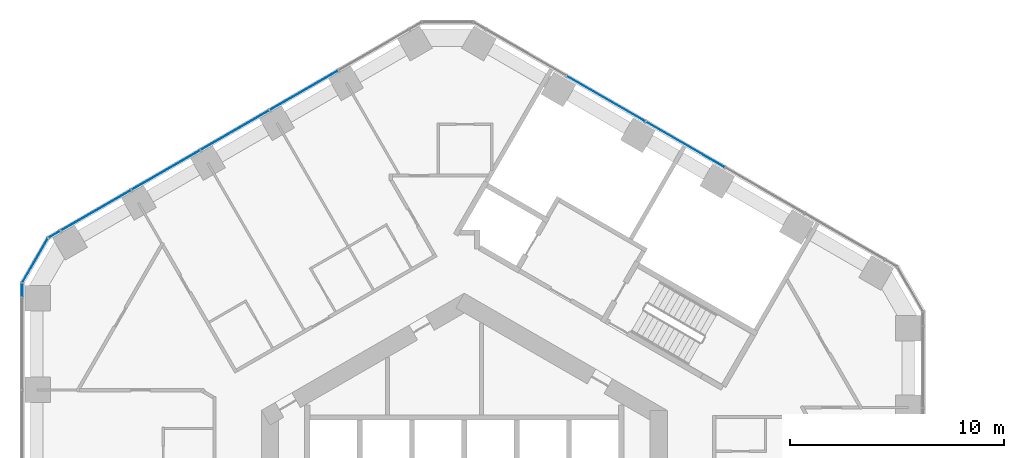
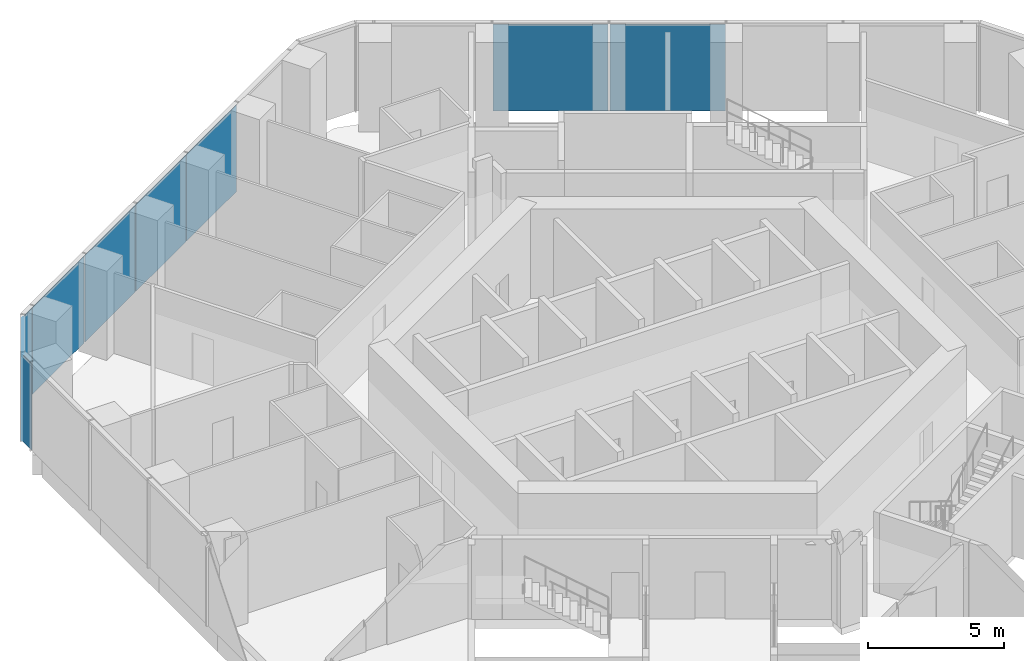
# One storey, part 15 of 27: 9 plates, 3 elements without a shape of their own.
"""IFC4 building model written with IfcOpenShell, lengths in metres."""

from ifc_helpers import new_model, si_unit, direction, frame, origin, origin_2d, place, context, subcontext, project, spatial, rectangle, extrude, material, layer, layer_set, type_object, element, aggregate, save


model = new_model("IFC4")

# Units and contexts
model_context = context("Model", 3, precision=1e-05, world=origin(), true_north=direction((0.0, 1.0)))
body_context = subcontext(model_context, "Body", "Model", "MODEL_VIEW")
ifc_project = project(units=[si_unit("LENGTHUNIT", "METRE"), si_unit("AREAUNIT", "SQUARE_METRE"), si_unit("VOLUMEUNIT", "CUBIC_METRE"), si_unit("PLANEANGLEUNIT", "RADIAN"), si_unit("MASSUNIT", "GRAM", prefix="KILO")], contexts=[model_context])

# Site, building, storey
site_placement = place(None, origin())
site = spatial("IfcSite", under=ifc_project, at=site_placement, CompositionType="ELEMENT")
building_placement = place(site_placement, origin())
building = spatial("IfcBuilding", under=site, at=building_placement, Name="Ayvan Gate Tower", CompositionType="ELEMENT")
storey_placement = place(building_placement, frame((0.0, 0.0, 70.300048828125)))
storey = spatial("IfcBuildingStorey", under=building, at=storey_placement, Name="L18", CompositionType="ELEMENT", Elevation=70.300048828125)

# Curtain wall, plates
ifc_material_1 = material(Name="Bronze anodised aluminium", Category="aluminium")
ifc_layer_1 = layer(ifc_material_1, 0.199951171875)
ifc_layer_set_1 = layer_set([ifc_layer_1], Name="Bronze anodised aluminium")
curtain_wall_type_1 = type_object("IfcCurtainWallType", Name="Stick curtain wall CW-1", PredefinedType="NOTDEFINED", material=ifc_layer_set_1)
curtain_wall_1_placement = place(storey_placement, origin())
curtain_wall_1 = element("IfcCurtainWall", 1, at=curtain_wall_1_placement, inside=storey, type_object=curtain_wall_type_1, Name="Stick curtain wall CW-1 L18", PredefinedType="NOTDEFINED")
ifc_material_2 = material(Name="Clear low-iron laminated glass", Category="glass")
ifc_layer_2 = layer(ifc_material_2, 0.028076171875)
ifc_layer_set_2 = layer_set([ifc_layer_2], Name="Clear low-iron laminated glass")
plate_type_1 = type_object("IfcPlateType", Name="Stick curtain wall CW-1 glass panel", PredefinedType="CURTAIN_PANEL", material=ifc_layer_set_2)
plate_1_placement = place(storey_placement, frame((10.35107421875, 17.92919921875, 0.0), z_axis=(0.0, 0.0, 1.0), x_axis=(-0.866025403784, 0.5, 0.0)))
plate_1 = element("IfcPlate", 2, at=plate_1_placement, type_object=plate_type_1, Name="CW-1 glass panel 3", PredefinedType="CURTAIN_PANEL", context=body_context, shape_type="SweptSolid", body=[
    extrude(rectangle(XDim=4.236083984375, YDim=0.028076171875, at=origin_2d()), origin(), (0.0, 0.0, 1.0), 3.8798828125),
])
plate_2_placement = place(storey_placement, frame((6.630859375, 20.076904296875, 0.0), z_axis=(0.0, 0.0, 1.0), x_axis=(-0.866025403784, 0.5, 0.0)))
plate_2 = element("IfcPlate", 3, at=plate_2_placement, type_object=plate_type_1, Name="CW-1 glass panel 4", PredefinedType="CURTAIN_PANEL", context=body_context, shape_type="SweptSolid", body=[
    extrude(rectangle(XDim=4.235107421875, YDim=0.028076171875, at=origin_2d()), origin(), (0.0, 0.0, 1.0), 3.8798828125),
])
aggregate(curtain_wall_1, [plate_1, plate_2])

curtain_wall_2_placement = place(storey_placement, origin())
curtain_wall_2 = element("IfcCurtainWall", 4, at=curtain_wall_2_placement, inside=storey, type_object=curtain_wall_type_1, Name="Stick curtain wall CW-1 L18", PredefinedType="NOTDEFINED")
plate_3_placement = place(storey_placement, frame((-7.511962890625, 20.47119140625, 0.0), z_axis=(0.0, 0.0, 1.0), x_axis=(-0.866025403784, -0.5, 0.0)))
plate_3 = element("IfcPlate", 5, at=plate_3_placement, type_object=plate_type_1, Name="CW-1 glass panel 2", PredefinedType="CURTAIN_PANEL", context=body_context, shape_type="SweptSolid", body=[
    extrude(rectangle(XDim=3.669921875, YDim=0.028076171875, at=origin_2d()), origin(), (0.0, 0.0, 1.0), 3.8798828125),
])
plate_4_placement = place(storey_placement, frame((-10.7421875, 18.606201171875, 0.0), z_axis=(0.0, 0.0, 1.0), x_axis=(-0.866025403784, -0.5, 0.0)))
plate_4 = element("IfcPlate", 6, at=plate_4_placement, type_object=plate_type_1, Name="CW-1 glass panel 3", PredefinedType="CURTAIN_PANEL", context=body_context, shape_type="SweptSolid", body=[
    extrude(rectangle(XDim=3.669921875, YDim=0.028076171875, at=origin_2d()), origin(), (0.0, 0.0, 1.0), 3.8798828125),
])
plate_5_placement = place(storey_placement, frame((-13.972412109375, 16.7412109375, 0.0), z_axis=(0.0, 0.0, 1.0), x_axis=(-0.866025403784, -0.5, 0.0)))
plate_5 = element("IfcPlate", 7, at=plate_5_placement, type_object=plate_type_1, Name="CW-1 glass panel 4", PredefinedType="CURTAIN_PANEL", context=body_context, shape_type="SweptSolid", body=[
    extrude(rectangle(XDim=3.669921875, YDim=0.028076171875, at=origin_2d()), origin(), (0.0, 0.0, 1.0), 3.8798828125),
])
plate_6_placement = place(storey_placement, frame((-17.260009765625, 14.84326171875, 0.0), z_axis=(0.0, 0.0, 1.0), x_axis=(-0.866025403784, -0.5, 0.0)))
plate_6 = element("IfcPlate", 8, at=plate_6_placement, type_object=plate_type_1, Name="CW-1 glass panel 5", PredefinedType="CURTAIN_PANEL", context=body_context, shape_type="SweptSolid", body=[
    extrude(rectangle(XDim=3.80224609375, YDim=0.028076171875, at=origin_2d()), origin(), (0.0, 0.0, 1.0), 3.8798828125),
])
aggregate(curtain_wall_2, [plate_3, plate_4, plate_5, plate_6])

ifc_layer_3 = layer(ifc_material_1, 0.199951171875)
ifc_layer_set_3 = layer_set([ifc_layer_3], Name="Bronze anodised aluminium")
curtain_wall_type_2 = type_object("IfcCurtainWallType", Name="Stick curtain wall CW-6", PredefinedType="NOTDEFINED", material=ifc_layer_set_3)
curtain_wall_3_placement = place(storey_placement, origin())
curtain_wall_3 = element("IfcCurtainWall", 9, at=curtain_wall_3_placement, inside=storey, type_object=curtain_wall_type_2, Name="Stick curtain wall CW-6 L18", PredefinedType="NOTDEFINED")
ifc_layer_4 = layer(ifc_material_2, 0.028076171875)
ifc_layer_set_4 = layer_set([ifc_layer_4], Name="Clear low-iron laminated glass")
plate_type_2 = type_object("IfcPlateType", Name="Stick curtain wall CW-6 glass panel", PredefinedType="CURTAIN_PANEL", material=ifc_layer_set_4)
plate_7_placement = place(storey_placement, frame((-19.203125, 13.721435546875, 0.0), z_axis=(0.0, 0.0, 1.0), x_axis=(-0.866025403784, -0.5, 0.0)))
plate_7 = element("IfcPlate", 10, at=plate_7_placement, type_object=plate_type_2, Name="CW-6 glass panel 1", PredefinedType="CURTAIN_PANEL", context=body_context, shape_type="SweptSolid", body=[
    extrude(rectangle(XDim=0.625, YDim=0.028076171875, at=origin_2d()), origin(), (0.0, 0.0, 1.0), 3.8798828125),
])
plate_8_placement = place(storey_placement, frame((-20.098876953125, 12.507080078125, 0.0), z_axis=(0.0, 0.0, 1.0), x_axis=(-0.5, -0.866025403784, 0.0)))
plate_8 = element("IfcPlate", 11, at=plate_8_placement, type_object=plate_type_2, Name="CW-6 glass panel 2", PredefinedType="CURTAIN_PANEL", context=body_context, shape_type="SweptSolid", body=[
    extrude(rectangle(XDim=2.364501953125, YDim=0.028076171875, at=origin_2d()), origin(), (0.0, 0.0, 1.0), 3.8798828125),
])
plate_9_placement = place(storey_placement, frame((-20.70263671875, 11.1240234375, 0.0), z_axis=(0.0, 0.0, 1.0), x_axis=(0.0, -1.0, 0.0)))
plate_9 = element("IfcPlate", 12, at=plate_9_placement, type_object=plate_type_2, Name="CW-6 glass panel 3", PredefinedType="CURTAIN_PANEL", context=body_context, shape_type="SweptSolid", body=[
    extrude(rectangle(XDim=0.625, YDim=0.028076171875, at=origin_2d()), origin(), (0.0, 0.0, 1.0), 3.8798828125),
])
aggregate(curtain_wall_3, [plate_7, plate_8, plate_9])

save(model, "model.ifc")
